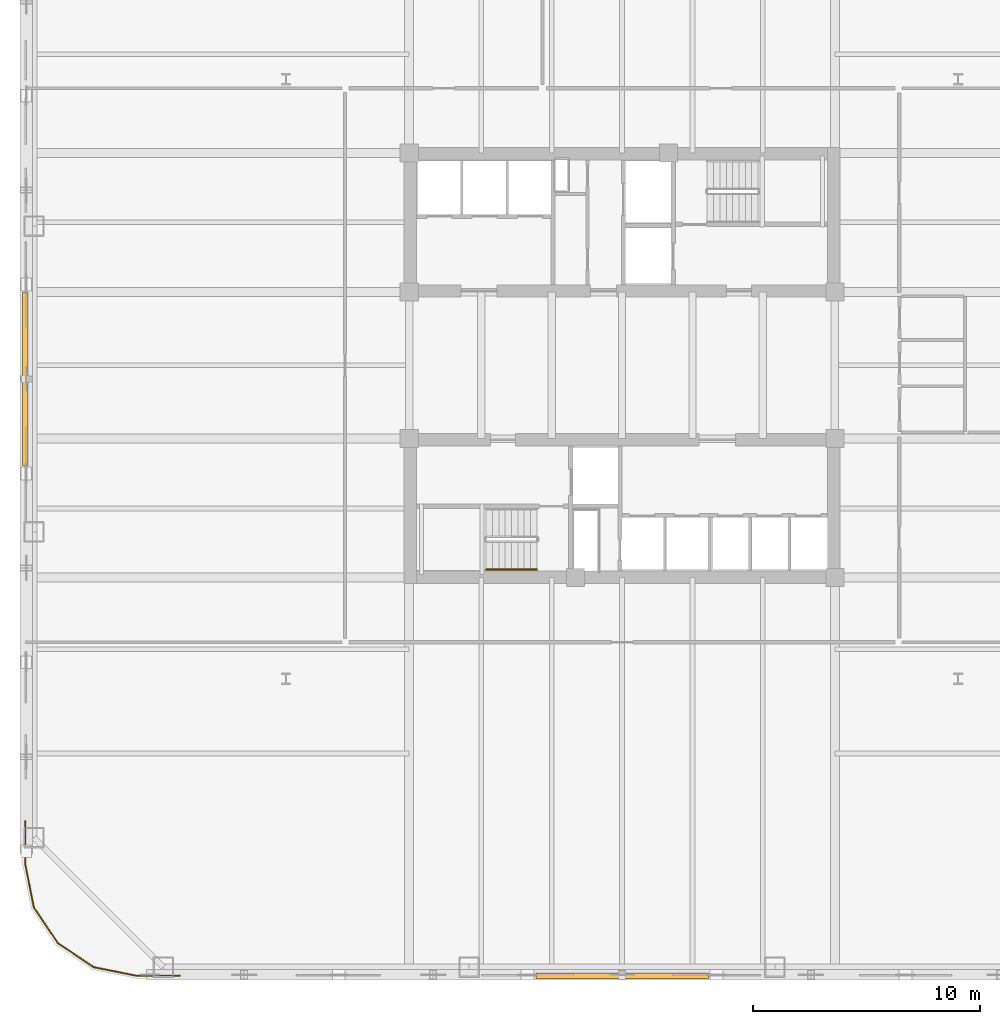
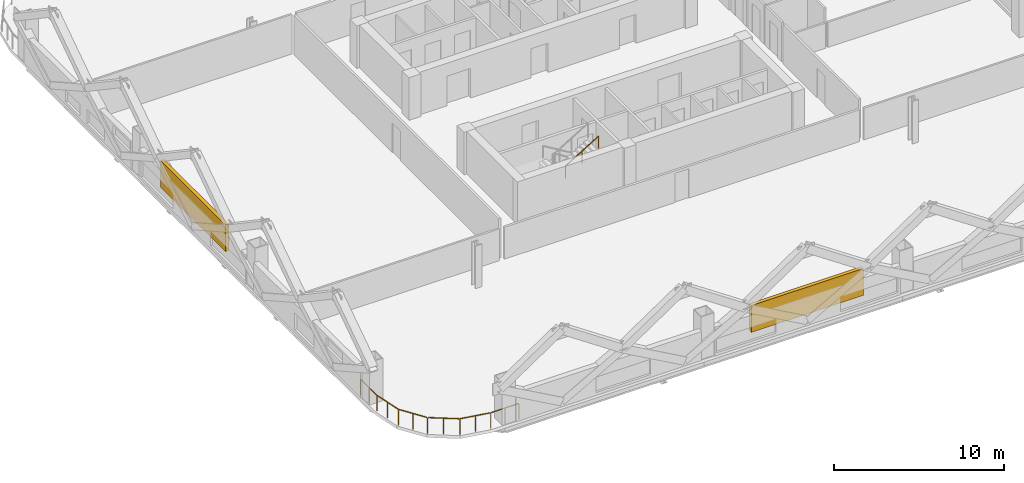
# One storey, part 8 of 13: 2 railings, 2 shading devices.
"""IFC4 building model written with IfcOpenShell, lengths in metres."""

from ifc_helpers import new_model, si_unit, direction, frame, origin, origin_2d, place, context, subcontext, project, spatial, rectangle, extrude, material, type_object, element, save


model = new_model("IFC4")

# Units and contexts
model_context = context("Model", 3, precision=1e-05, world=origin(), true_north=direction((0.0, 1.0)))
body_context = subcontext(model_context, "Body", "Model", "MODEL_VIEW")
ifc_project = project(units=[si_unit("LENGTHUNIT", "METRE"), si_unit("AREAUNIT", "SQUARE_METRE"), si_unit("VOLUMEUNIT", "CUBIC_METRE"), si_unit("PLANEANGLEUNIT", "RADIAN"), si_unit("MASSUNIT", "GRAM", prefix="KILO")], contexts=[model_context])

# Site, building, storey
site_placement = place(None, origin())
site = spatial("IfcSite", under=ifc_project, at=site_placement, CompositionType="ELEMENT")
building_placement = place(site_placement, origin())
building = spatial("IfcBuilding", under=site, at=building_placement, Name="Qhalaya Broadcast Tower", CompositionType="ELEMENT")
storey_placement = place(building_placement, frame((0.0, 0.0, 32.199951171875)))
storey = spatial("IfcBuildingStorey", under=building, at=storey_placement, Name="L08", CompositionType="ELEMENT", Elevation=32.199951171875)

# Railings
ifc_material_1 = material(Name="Powder-Coated Galvanised Steel", Category="steel")
railing_type_1 = type_object("IfcRailingType", Name="Stair Wall Handrail 900", PredefinedType="HANDRAIL", material=ifc_material_1)
railing_1_placement = place(storey_placement, frame((-5.989990234375, -8.389892578125, 1.694580078125)))
element("IfcRailing", 1, at=railing_1_placement, inside=storey, type_object=railing_type_1, Name="L08 ST-2 Stair Handrail 2", PredefinedType="HANDRAIL", context=body_context, shape_type="SweptSolid", body=[
    extrude(rectangle(XDim=0.048095703125, YDim=0.048095703125, at=origin_2d()), frame((0.0, 0.0, 0.8759765625), z_axis=(0.855553338991, 0.0, 0.51771467445), x_axis=(0.0, 1.0, 0.0)), (0.0, 0.0, 1.0), 2.6181640625),
    extrude(rectangle(XDim=0.0419921875, YDim=0.0419921875, at=origin_2d()), origin(), (0.0, 0.0, 1.0), 0.849853515625),
    extrude(rectangle(XDim=0.0419921875, YDim=0.0419921875, at=origin_2d()), frame((1.1201171875, 0.0, 0.677734375)), (0.0, 0.0, 1.0), 0.849853515625),
    extrude(rectangle(XDim=0.0419921875, YDim=0.0419921875, at=origin_2d()), frame((2.239990234375, 0.0, 1.35546875)), (0.0, 0.0, 1.0), 0.849853515625),
])
railing_type_2 = type_object("IfcRailingType", Name="Terrace, Sky-Pool & Lookout Glass Balustrade 1150", PredefinedType="BALUSTRADE", material=ifc_material_1)
railing_2_placement = place(storey_placement, frame((-19.48193359375, -26.280029296875, 0.0)))
element("IfcRailing", 2, at=railing_2_placement, inside=storey, type_object=railing_type_2, Name="L08 Rounded Corner Perimeter Guard 02", PredefinedType="BALUSTRADE", context=body_context, shape_type="SweptSolid", body=[
    extrude(rectangle(XDim=0.048095703125, YDim=0.048095703125, at=origin_2d()), frame((0.0, 0.0, 1.1259765625), z_axis=(-1.0, 0.0, 0.0), x_axis=(0.0, -1.0, 0.0)), (0.0, 0.0, 1.0), 1.87744140625),
    extrude(rectangle(XDim=0.048095703125, YDim=0.048095703125, at=origin_2d()), frame((-1.9345703125, 0.005615234375, 1.1259765625), z_axis=(-0.980795810058, 0.195037378397, 0.0), x_axis=(-0.195037378397, -0.980795810058, 0.0)), (0.0, 0.0, 1.0), 1.857421875),
    extrude(rectangle(XDim=0.048095703125, YDim=0.048095703125, at=origin_2d()), frame((-3.80859375, 0.3896484375, 1.1259765625), z_axis=(-0.831477548332, 0.555558355728, 0.0), x_axis=(-0.555558355728, -0.831477548332, 0.0)), (0.0, 0.0, 1.0), 1.845458984375),
    extrude(rectangle(XDim=0.048095703125, YDim=0.048095703125, at=origin_2d()), frame((-5.38330078125, 1.454833984375, 1.1259765625), z_axis=(-0.555558355728, 0.831477548332, 0.0), x_axis=(-0.831477548332, -0.555558355728, 0.0)), (0.0, 0.0, 1.0), 1.845458984375),
    extrude(rectangle(XDim=0.048095703125, YDim=0.048095703125, at=origin_2d()), frame((-6.43017578125, 3.041748046875, 1.1259765625), z_axis=(-0.195037378397, 0.980795810058, 0.0), x_axis=(-0.980795810058, -0.195037378397, 0.0)), (0.0, 0.0, 1.0), 1.857421875),
    extrude(rectangle(XDim=0.048095703125, YDim=0.048095703125, at=origin_2d()), frame((-6.798095703125, 4.920654296875, 1.1259765625), z_axis=(0.0, 1.0, 0.0), x_axis=(-1.0, 0.0, 0.0)), (0.0, 0.0, 1.0), 1.87744140625),
    extrude(rectangle(XDim=0.0419921875, YDim=0.0419921875, at=origin_2d()), origin(), (0.0, 0.0, 1.0), 1.099853515625),
    extrude(rectangle(XDim=0.0419921875, YDim=0.0419921875, at=origin_2d()), frame((-0.953125, 0.0, 0.0)), (0.0, 0.0, 1.0), 1.099853515625),
    extrude(rectangle(XDim=0.0419921875, YDim=0.0419921875, at=origin_2d()), frame((-1.90625, 0.0, 0.0)), (0.0, 0.0, 1.0), 1.099853515625),
    extrude(rectangle(XDim=0.0419921875, YDim=0.0419921875, at=origin_2d()), frame((-2.845458984375, 0.186767578125, 0.0)), (0.0, 0.0, 1.0), 1.099853515625),
    extrude(rectangle(XDim=0.0419921875, YDim=0.0419921875, at=origin_2d()), frame((-3.78466796875, 0.37353515625, 0.0)), (0.0, 0.0, 1.0), 1.099853515625),
    extrude(rectangle(XDim=0.0419921875, YDim=0.0419921875, at=origin_2d()), frame((-4.575927734375, 0.90234375, 0.0)), (0.0, 0.0, 1.0), 1.099853515625),
    extrude(rectangle(XDim=0.0419921875, YDim=0.0419921875, at=origin_2d()), frame((-5.3671875, 1.430908203125, 0.0)), (0.0, 0.0, 1.0), 1.099853515625),
    extrude(rectangle(XDim=0.0419921875, YDim=0.0419921875, at=origin_2d()), frame((-5.89599609375, 2.22216796875, 0.0)), (0.0, 0.0, 1.0), 1.099853515625),
    extrude(rectangle(XDim=0.0419921875, YDim=0.0419921875, at=origin_2d()), frame((-6.424560546875, 3.013427734375, 0.0)), (0.0, 0.0, 1.0), 1.099853515625),
    extrude(rectangle(XDim=0.0419921875, YDim=0.0419921875, at=origin_2d()), frame((-6.611328125, 3.95263671875, 0.0)), (0.0, 0.0, 1.0), 1.099853515625),
    extrude(rectangle(XDim=0.0419921875, YDim=0.0419921875, at=origin_2d()), frame((-6.798095703125, 4.891845703125, 0.0)), (0.0, 0.0, 1.0), 1.099853515625),
    extrude(rectangle(XDim=0.0419921875, YDim=0.0419921875, at=origin_2d()), frame((-6.798095703125, 5.844970703125, 0.0)), (0.0, 0.0, 1.0), 1.099853515625),
    extrude(rectangle(XDim=0.0419921875, YDim=0.0419921875, at=origin_2d()), frame((-6.798095703125, 6.798095703125, 0.0)), (0.0, 0.0, 1.0), 1.099853515625),
])

# Shading devices
ifc_material_2 = material(Name="Fired Architectural Terracotta", Category="masonry")
shading_device_type = type_object("IfcShadingDeviceType", Name="Terracotta Baguette Solar Screen Assembly TBS-01", PredefinedType="USERDEFINED", material=ifc_material_2)
for number, where, z_axis, x_axis, name in (
    (3, (0.0, -26.280029296875, 0.79248046875), (0.0, 0.0, 1.0), (1.0, 0.0, 0.0), "L08 Fired Terracotta Baguette Screen S"),
    (4, (-26.280029296875, 0.0, 0.79248046875), (0.0, 0.0, 1.0), (0.0, -1.0, 0.0), "L08 Fired Terracotta Baguette Screen W"),
):
    element("IfcShadingDevice", number, at=place(storey_placement, frame(where, z_axis=z_axis, x_axis=x_axis)), inside=storey, type_object=shading_device_type, Name=name, ObjectType="BAGUETTE", PredefinedType="USERDEFINED", context=body_context, shape_type="SweptSolid", body=[
        extrude(rectangle(XDim=7.60009765625, YDim=0.239990234375, at=origin_2d()), origin(), (0.0, 0.0, 1.0), 1.924072265625),
    ])

save(model, "model.ifc")
